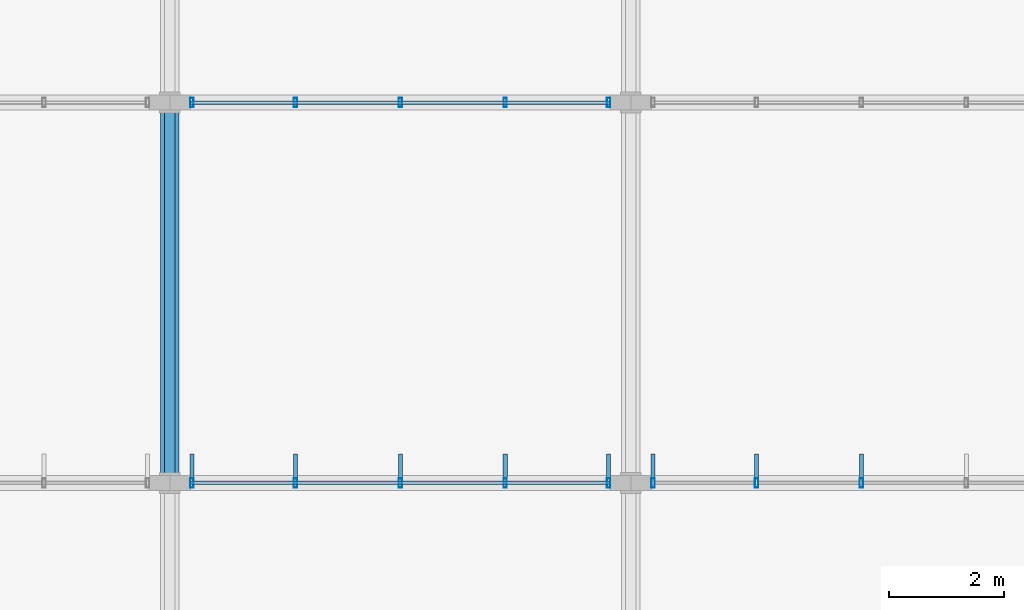
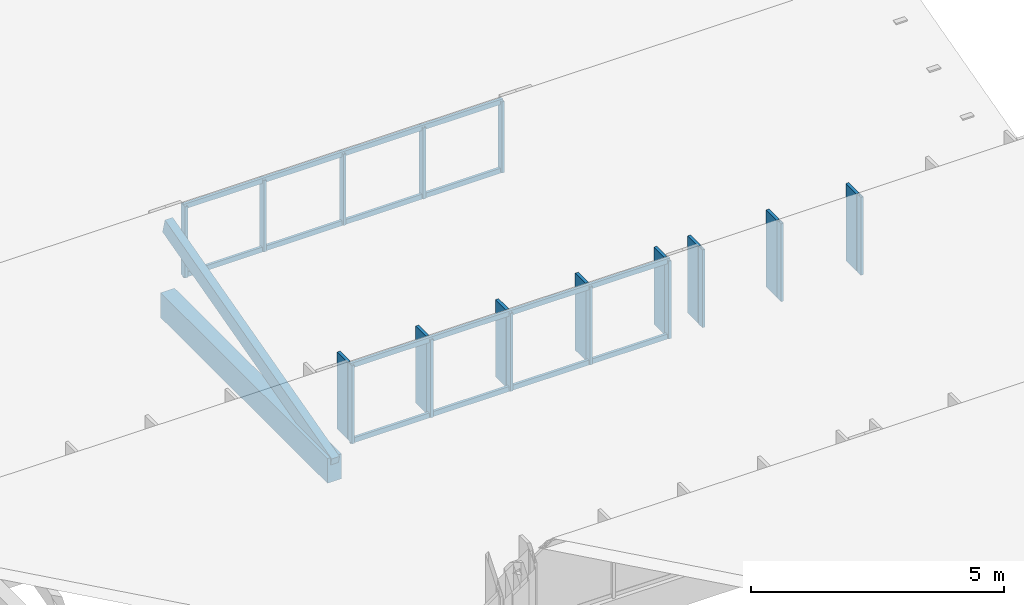
# One storey, part 16 of 94: 27 members, 3 elements without a shape of their own.
"""IFC4 building model written with IfcOpenShell, lengths in metres."""

from ifc_helpers import new_model, si_unit, direction, frame, origin, origin_2d, place, context, subcontext, project, spatial, rectangle, hollow_rectangle, extrude, material, material_profile, profile_set, type_object, element, aggregate, save


model = new_model("IFC4")

# Units and contexts
model_context = context("Model", 3, precision=1e-05, world=origin(), true_north=direction((0.0, 1.0)))
body_context = subcontext(model_context, "Body", "Model", "MODEL_VIEW")
ifc_project = project(units=[si_unit("LENGTHUNIT", "METRE"), si_unit("AREAUNIT", "SQUARE_METRE"), si_unit("VOLUMEUNIT", "CUBIC_METRE"), si_unit("PLANEANGLEUNIT", "RADIAN"), si_unit("MASSUNIT", "GRAM", prefix="KILO")], contexts=[model_context])

# Site, building, storey
site_placement = place(None, origin())
site = spatial("IfcSite", under=ifc_project, at=site_placement, CompositionType="ELEMENT")
building_placement = place(site_placement, origin())
building = spatial("IfcBuilding", under=site, at=building_placement, Name="Chiffa Square Polytechnic", CompositionType="ELEMENT")
storey_placement = place(building_placement, frame((0.0, 0.0, 18.0)))
storey = spatial("IfcBuildingStorey", under=building, at=storey_placement, Name="L04", CompositionType="ELEMENT", Elevation=18.0)

# Curtain wall, members
ifc_material_1 = material(Name="Aluminium EN AW-6060 T66 and glulam shading", Category="wood")
curtain_wall_type_1 = type_object("IfcCurtainWallType", Name="CW-VERT-360X380", PredefinedType="USERDEFINED", material=ifc_material_1)
curtain_wall_1_placement = place(storey_placement, origin())
curtain_wall_1 = element("IfcCurtainWall", 1, at=curtain_wall_1_placement, inside=storey, type_object=curtain_wall_type_1, Name="Curtain wall CW-V6-SAW2-3", ObjectType="CURTAIN WALL", PredefinedType="USERDEFINED")
ifc_material_2 = material(Name="Aluminium EN AW-6060 T66", Category="aluminium")
ifc_material_profile_1 = material_profile(ifc_material_2, hollow_rectangle(XDim=0.06005859375, YDim=0.159912109375, WallThickness=0.00390625, at=origin_2d()), Name="ALU 60x160x4")
ifc_profile_set_1 = profile_set([ifc_material_profile_1], Name="Aluminium EN AW-6060 T66")
member_type_1 = type_object("IfcMemberType", Name="CWM-ALU-65X150", PredefinedType="MULLION", material=ifc_profile_set_1)
member_1_placement = place(storey_placement, frame((23.614990234375, 51.0, 0.699951171875), z_axis=(0.0, 0.0, 1.0), x_axis=(1.0, 0.0, 0.0)))
member_1 = element("IfcMember", 2, at=member_1_placement, type_object=member_type_1, Name="Curtain wall mullion CW-V6-SAW2-3-M00", PredefinedType="MULLION", context=body_context, shape_type="SweptSolid", body=[
    extrude(hollow_rectangle(XDim=0.06005859375, YDim=0.159912109375, WallThickness=0.00390625, at=origin_2d()), origin(), (0.0, 0.0, 1.0), 1.879150390625),
])
member_2_placement = place(storey_placement, frame((21.820068359375, 51.0, 0.699951171875), z_axis=(0.0, 0.0, 1.0), x_axis=(1.0, 0.0, 0.0)))
member_2 = element("IfcMember", 3, at=member_2_placement, type_object=member_type_1, Name="Curtain wall mullion CW-V6-SAW2-3-M01", PredefinedType="MULLION", context=body_context, shape_type="SweptSolid", body=[
    extrude(hollow_rectangle(XDim=0.06005859375, YDim=0.159912109375, WallThickness=0.00390625, at=origin_2d()), origin(), (0.0, 0.0, 1.0), 1.879150390625),
])
member_3_placement = place(storey_placement, frame((20.0, 51.0, 0.699951171875), z_axis=(0.0, 0.0, 1.0), x_axis=(1.0, 0.0, 0.0)))
member_3 = element("IfcMember", 4, at=member_3_placement, type_object=member_type_1, Name="Curtain wall mullion CW-V6-SAW2-3-M02", PredefinedType="MULLION", context=body_context, shape_type="SweptSolid", body=[
    extrude(hollow_rectangle(XDim=0.06005859375, YDim=0.159912109375, WallThickness=0.00390625, at=origin_2d()), origin(), (0.0, 0.0, 1.0), 1.879150390625),
])
member_4_placement = place(storey_placement, frame((18.179931640625, 51.0, 0.699951171875), z_axis=(0.0, 0.0, 1.0), x_axis=(1.0, 0.0, 0.0)))
member_4 = element("IfcMember", 5, at=member_4_placement, type_object=member_type_1, Name="Curtain wall mullion CW-V6-SAW2-3-M03", PredefinedType="MULLION", context=body_context, shape_type="SweptSolid", body=[
    extrude(hollow_rectangle(XDim=0.06005859375, YDim=0.159912109375, WallThickness=0.00390625, at=origin_2d()), origin(), (0.0, 0.0, 1.0), 1.879150390625),
])
member_5_placement = place(storey_placement, frame((16.385009765625, 51.0, 0.699951171875), z_axis=(0.0, 0.0, 1.0), x_axis=(1.0, 0.0, 0.0)))
member_5 = element("IfcMember", 6, at=member_5_placement, type_object=member_type_1, Name="Curtain wall mullion CW-V6-SAW2-3-M04", PredefinedType="MULLION", context=body_context, shape_type="SweptSolid", body=[
    extrude(hollow_rectangle(XDim=0.06005859375, YDim=0.159912109375, WallThickness=0.00390625, at=origin_2d()), origin(), (0.0, 0.0, 1.0), 1.879150390625),
])

curtain_wall_type_2 = type_object("IfcCurtainWallType", Name="CW-VERT-480X380", PredefinedType="USERDEFINED", material=ifc_material_1)
curtain_wall_2_placement = place(storey_placement, origin())
curtain_wall_2 = element("IfcCurtainWall", 7, at=curtain_wall_2_placement, inside=storey, type_object=curtain_wall_type_2, Name="Curtain wall CW-V6-SAW2-4", ObjectType="CURTAIN WALL", PredefinedType="USERDEFINED")
member_6_placement = place(storey_placement, frame((28.0, 51.0, 0.699951171875), z_axis=(0.0, 0.0, 1.0), x_axis=(1.0, 0.0, 0.0)))
member_6 = element("IfcMember", 8, at=member_6_placement, type_object=member_type_1, Name="Curtain wall mullion CW-V6-SAW2-4-M02", PredefinedType="MULLION", context=body_context, shape_type="SweptSolid", body=[
    extrude(hollow_rectangle(XDim=0.06005859375, YDim=0.159912109375, WallThickness=0.00390625, at=origin_2d()), origin(), (0.0, 0.0, 1.0), 1.879150390625),
])
member_7_placement = place(storey_placement, frame((26.179931640625, 51.0, 0.699951171875), z_axis=(0.0, 0.0, 1.0), x_axis=(1.0, 0.0, 0.0)))
member_7 = element("IfcMember", 9, at=member_7_placement, type_object=member_type_1, Name="Curtain wall mullion CW-V6-SAW2-4-M03", PredefinedType="MULLION", context=body_context, shape_type="SweptSolid", body=[
    extrude(hollow_rectangle(XDim=0.06005859375, YDim=0.159912109375, WallThickness=0.00390625, at=origin_2d()), origin(), (0.0, 0.0, 1.0), 1.879150390625),
])
member_8_placement = place(storey_placement, frame((24.385009765625, 51.0, 0.699951171875), z_axis=(0.0, 0.0, 1.0), x_axis=(1.0, 0.0, 0.0)))
member_8 = element("IfcMember", 10, at=member_8_placement, type_object=member_type_1, Name="Curtain wall mullion CW-V6-SAW2-4-M04", PredefinedType="MULLION", context=body_context, shape_type="SweptSolid", body=[
    extrude(hollow_rectangle(XDim=0.06005859375, YDim=0.159912109375, WallThickness=0.00390625, at=origin_2d()), origin(), (0.0, 0.0, 1.0), 1.879150390625),
])

curtain_wall_3_placement = place(storey_placement, origin())
curtain_wall_3 = element("IfcCurtainWall", 11, at=curtain_wall_3_placement, inside=storey, type_object=curtain_wall_type_2, Name="Curtain wall CW-V6-SAW3-3", ObjectType="CURTAIN WALL", PredefinedType="USERDEFINED")
member_9_placement = place(storey_placement, frame((23.614990234375, 57.60009765625, 0.699951171875), z_axis=(0.0, 0.0, 1.0), x_axis=(1.0, 0.0, 0.0)))
member_9 = element("IfcMember", 12, at=member_9_placement, type_object=member_type_1, Name="Curtain wall mullion CW-V6-SAW3-3-M00", PredefinedType="MULLION", context=body_context, shape_type="SweptSolid", body=[
    extrude(hollow_rectangle(XDim=0.06005859375, YDim=0.159912109375, WallThickness=0.00390625, at=origin_2d()), origin(), (0.0, 0.0, 1.0), 1.718017578125),
])
member_10_placement = place(storey_placement, frame((21.820068359375, 57.60009765625, 0.699951171875), z_axis=(0.0, 0.0, 1.0), x_axis=(1.0, 0.0, 0.0)))
member_10 = element("IfcMember", 13, at=member_10_placement, type_object=member_type_1, Name="Curtain wall mullion CW-V6-SAW3-3-M01", PredefinedType="MULLION", context=body_context, shape_type="SweptSolid", body=[
    extrude(hollow_rectangle(XDim=0.06005859375, YDim=0.159912109375, WallThickness=0.00390625, at=origin_2d()), origin(), (0.0, 0.0, 1.0), 1.718017578125),
])
member_11_placement = place(storey_placement, frame((20.0, 57.60009765625, 0.699951171875), z_axis=(0.0, 0.0, 1.0), x_axis=(1.0, 0.0, 0.0)))
member_11 = element("IfcMember", 14, at=member_11_placement, type_object=member_type_1, Name="Curtain wall mullion CW-V6-SAW3-3-M02", PredefinedType="MULLION", context=body_context, shape_type="SweptSolid", body=[
    extrude(hollow_rectangle(XDim=0.06005859375, YDim=0.159912109375, WallThickness=0.00390625, at=origin_2d()), origin(), (0.0, 0.0, 1.0), 1.718017578125),
])
member_12_placement = place(storey_placement, frame((18.179931640625, 57.60009765625, 0.699951171875), z_axis=(0.0, 0.0, 1.0), x_axis=(1.0, 0.0, 0.0)))
member_12 = element("IfcMember", 15, at=member_12_placement, type_object=member_type_1, Name="Curtain wall mullion CW-V6-SAW3-3-M03", PredefinedType="MULLION", context=body_context, shape_type="SweptSolid", body=[
    extrude(hollow_rectangle(XDim=0.06005859375, YDim=0.159912109375, WallThickness=0.00390625, at=origin_2d()), origin(), (0.0, 0.0, 1.0), 1.718017578125),
])
member_13_placement = place(storey_placement, frame((16.385009765625, 57.60009765625, 0.699951171875), z_axis=(0.0, 0.0, 1.0), x_axis=(1.0, 0.0, 0.0)))
member_13 = element("IfcMember", 16, at=member_13_placement, type_object=member_type_1, Name="Curtain wall mullion CW-V6-SAW3-3-M04", PredefinedType="MULLION", context=body_context, shape_type="SweptSolid", body=[
    extrude(hollow_rectangle(XDim=0.06005859375, YDim=0.159912109375, WallThickness=0.00390625, at=origin_2d()), origin(), (0.0, 0.0, 1.0), 1.718017578125),
])

# Member
ifc_material_3 = material(Name="Glulam GL28h", Category="wood")
ifc_material_profile_2 = material_profile(ifc_material_3, rectangle(XDim=0.070068359375, YDim=0.419921875, at=origin_2d()), Name="GL28h 70x420")
ifc_profile_set_2 = profile_set([ifc_material_profile_2], Name="Glulam GL28h")
member_type_2 = type_object("IfcMemberType", Name="CWM-GL-70X420", PredefinedType="MULLION", material=ifc_profile_set_2)
member_14_placement = place(storey_placement, frame((23.614990234375, 51.2919921875, 0.7099609375), z_axis=(0.0, 0.0, 1.0), x_axis=(-1.0, 0.0, 0.0)))
member_14 = element("IfcMember", 17, at=member_14_placement, type_object=member_type_2, Name="Exterior glulam solar fin CW-V6-SAW2-3-FN00", PredefinedType="MULLION", context=body_context, shape_type="SweptSolid", body=[
    extrude(rectangle(XDim=0.070068359375, YDim=0.419921875, at=origin_2d()), origin(), (0.0, 0.0, 1.0), 1.859130859375),
])

member_15_placement = place(storey_placement, frame((21.820068359375, 51.2919921875, 0.7099609375), z_axis=(0.0, 0.0, 1.0), x_axis=(-1.0, 0.0, 0.0)))
member_15 = element("IfcMember", 18, at=member_15_placement, type_object=member_type_2, Name="Exterior glulam solar fin CW-V6-SAW2-3-FN01", PredefinedType="MULLION", context=body_context, shape_type="SweptSolid", body=[
    extrude(rectangle(XDim=0.070068359375, YDim=0.419921875, at=origin_2d()), origin(), (0.0, 0.0, 1.0), 1.859130859375),
])

member_16_placement = place(storey_placement, frame((20.0, 51.2919921875, 0.7099609375), z_axis=(0.0, 0.0, 1.0), x_axis=(-1.0, 0.0, 0.0)))
member_16 = element("IfcMember", 19, at=member_16_placement, type_object=member_type_2, Name="Exterior glulam solar fin CW-V6-SAW2-3-FN02", PredefinedType="MULLION", context=body_context, shape_type="SweptSolid", body=[
    extrude(rectangle(XDim=0.070068359375, YDim=0.419921875, at=origin_2d()), origin(), (0.0, 0.0, 1.0), 1.859130859375),
])

member_17_placement = place(storey_placement, frame((18.179931640625, 51.2919921875, 0.7099609375), z_axis=(0.0, 0.0, 1.0), x_axis=(-1.0, 0.0, 0.0)))
member_17 = element("IfcMember", 20, at=member_17_placement, type_object=member_type_2, Name="Exterior glulam solar fin CW-V6-SAW2-3-FN03", PredefinedType="MULLION", context=body_context, shape_type="SweptSolid", body=[
    extrude(rectangle(XDim=0.070068359375, YDim=0.419921875, at=origin_2d()), origin(), (0.0, 0.0, 1.0), 1.859130859375),
])

member_18_placement = place(storey_placement, frame((16.385009765625, 51.2919921875, 0.7099609375), z_axis=(0.0, 0.0, 1.0), x_axis=(-1.0, 0.0, 0.0)))
member_18 = element("IfcMember", 21, at=member_18_placement, type_object=member_type_2, Name="Exterior glulam solar fin CW-V6-SAW2-3-FN04", PredefinedType="MULLION", context=body_context, shape_type="SweptSolid", body=[
    extrude(rectangle(XDim=0.070068359375, YDim=0.419921875, at=origin_2d()), origin(), (0.0, 0.0, 1.0), 1.859130859375),
])

member_19_placement = place(storey_placement, frame((28.0, 51.2919921875, 0.7099609375), z_axis=(0.0, 0.0, 1.0), x_axis=(-1.0, 0.0, 0.0)))
member_19 = element("IfcMember", 22, at=member_19_placement, type_object=member_type_2, Name="Exterior glulam solar fin CW-V6-SAW2-4-FN02", PredefinedType="MULLION", context=body_context, shape_type="SweptSolid", body=[
    extrude(rectangle(XDim=0.070068359375, YDim=0.419921875, at=origin_2d()), origin(), (0.0, 0.0, 1.0), 1.859130859375),
])

member_20_placement = place(storey_placement, frame((26.179931640625, 51.2919921875, 0.7099609375), z_axis=(0.0, 0.0, 1.0), x_axis=(-1.0, 0.0, 0.0)))
member_20 = element("IfcMember", 23, at=member_20_placement, type_object=member_type_2, Name="Exterior glulam solar fin CW-V6-SAW2-4-FN03", PredefinedType="MULLION", context=body_context, shape_type="SweptSolid", body=[
    extrude(rectangle(XDim=0.070068359375, YDim=0.419921875, at=origin_2d()), origin(), (0.0, 0.0, 1.0), 1.859130859375),
])

member_21_placement = place(storey_placement, frame((24.385009765625, 51.2919921875, 0.7099609375), z_axis=(0.0, 0.0, 1.0), x_axis=(-1.0, 0.0, 0.0)))
member_21 = element("IfcMember", 24, at=member_21_placement, type_object=member_type_2, Name="Exterior glulam solar fin CW-V6-SAW2-4-FN04", PredefinedType="MULLION", context=body_context, shape_type="SweptSolid", body=[
    extrude(rectangle(XDim=0.070068359375, YDim=0.419921875, at=origin_2d()), origin(), (0.0, 0.0, 1.0), 1.859130859375),
])

aggregate(curtain_wall_2, [member_6, member_19, member_7, member_20, member_8, member_21])

ifc_material_profile_3 = material_profile(ifc_material_2, hollow_rectangle(XDim=0.06005859375, YDim=0.1201171875, WallThickness=0.00390625, at=origin_2d()), Name="ALU 60x120x4")
ifc_profile_set_3 = profile_set([ifc_material_profile_3], Name="Aluminium EN AW-6060 T66")
member_type_3 = type_object("IfcMemberType", Name="CWT-ALU-65X120", PredefinedType="USERDEFINED", material=ifc_profile_set_3)
member_22_placement = place(storey_placement, frame((23.64208984375, 51.0, 0.72998046875), z_axis=(-1.0, 0.0, 0.0), x_axis=(0.0, -1.0, 0.0)))
member_22 = element("IfcMember", 25, at=member_22_placement, type_object=member_type_3, Name="Curtain wall transom CW-V6-SAW2-3-T01", ObjectType="TRANSOM", PredefinedType="USERDEFINED", context=body_context, shape_type="SweptSolid", body=[
    extrude(hollow_rectangle(XDim=0.06005859375, YDim=0.1201171875, WallThickness=0.00390625, at=origin_2d()), origin(), (0.0, 0.0, 1.0), 7.2841796875),
])

member_23_placement = place(storey_placement, frame((23.64208984375, 51.0, 2.549072265625), z_axis=(-1.0, 0.0, 0.0), x_axis=(0.0, -1.0, 0.0)))
member_23 = element("IfcMember", 26, at=member_23_placement, type_object=member_type_3, Name="Curtain wall transom CW-V6-SAW2-3-T02", ObjectType="TRANSOM", PredefinedType="USERDEFINED", context=body_context, shape_type="SweptSolid", body=[
    extrude(hollow_rectangle(XDim=0.06005859375, YDim=0.1201171875, WallThickness=0.00390625, at=origin_2d()), origin(), (0.0, 0.0, 1.0), 7.2841796875),
])

aggregate(curtain_wall_1, [member_1, member_14, member_2, member_15, member_3, member_16, member_4, member_17, member_5, member_18, member_22, member_23])

member_24_placement = place(storey_placement, frame((23.64208984375, 57.60009765625, 0.72998046875), z_axis=(-1.0, 0.0, 0.0), x_axis=(0.0, -1.0, 0.0)))
member_24 = element("IfcMember", 27, at=member_24_placement, type_object=member_type_3, Name="Curtain wall transom CW-V6-SAW3-3-T01", ObjectType="TRANSOM", PredefinedType="USERDEFINED", context=body_context, shape_type="SweptSolid", body=[
    extrude(hollow_rectangle(XDim=0.06005859375, YDim=0.1201171875, WallThickness=0.00390625, at=origin_2d()), origin(), (0.0, 0.0, 1.0), 7.2841796875),
])

member_25_placement = place(storey_placement, frame((23.64208984375, 57.60009765625, 2.387939453125), z_axis=(-1.0, 0.0, 0.0), x_axis=(0.0, -1.0, 0.0)))
member_25 = element("IfcMember", 28, at=member_25_placement, type_object=member_type_3, Name="Curtain wall transom CW-V6-SAW3-3-T02", ObjectType="TRANSOM", PredefinedType="USERDEFINED", context=body_context, shape_type="SweptSolid", body=[
    extrude(hollow_rectangle(XDim=0.06005859375, YDim=0.1201171875, WallThickness=0.00390625, at=origin_2d()), origin(), (0.0, 0.0, 1.0), 7.2841796875),
])

aggregate(curtain_wall_3, [member_9, member_10, member_11, member_12, member_13, member_24, member_25])

# Members
ifc_material_4 = material(Name="Glulam GL32c", Category="wood")
ifc_material_profile_4 = material_profile(ifc_material_4, rectangle(XDim=0.320068359375, YDim=0.60009765625, at=origin_2d()), Name="GL32c 320x600")
ifc_profile_set_4 = profile_set([ifc_material_profile_4], Name="Glulam GL32c")
member_type_4 = type_object("IfcMemberType", Name="MEM-CHORD-GL320", PredefinedType="CHORD", material=ifc_profile_set_4)
member_26_placement = place(storey_placement, frame((16.0, 51.0, 0.179931640625), z_axis=(0.0, 1.0, 0.0), x_axis=(-1.0, 0.0, 0.0)))
element("IfcMember", 29, at=member_26_placement, inside=storey, type_object=member_type_4, Name="Studio sawtooth tie chord TCB-V6-SAW-013", PredefinedType="CHORD", context=body_context, shape_type="SweptSolid", body=[
    extrude(rectangle(XDim=0.320068359375, YDim=0.60009765625, at=origin_2d()), origin(), (0.0, 0.0, 1.0), 6.60009765625),
])
ifc_material_profile_5 = material_profile(ifc_material_3, rectangle(XDim=0.179931640625, YDim=0.360107421875, at=origin_2d()), Name="GL28h 180x360")
ifc_profile_set_5 = profile_set([ifc_material_profile_5], Name="Glulam GL28h")
member_type_5 = type_object("IfcMemberType", Name="MEM-RFT-GL180", PredefinedType="RAFTER", material=ifc_profile_set_5)
member_27_placement = place(storey_placement, frame((16.0, 51.0, 0.300048828125), z_axis=(0.0, 0.965941353683, 0.258761089124), x_axis=(-1.0, 0.0, 0.0)))
element("IfcMember", 30, at=member_27_placement, inside=storey, type_object=member_type_5, Name="Studio sawtooth glulam rafter RF-V6-L04-013", PredefinedType="RAFTER", context=body_context, shape_type="SweptSolid", body=[
    extrude(rectangle(XDim=0.179931640625, YDim=0.360107421875, at=origin_2d()), origin(), (0.0, 0.0, 1.0), 6.832763671875),
])

save(model, "model.ifc")
